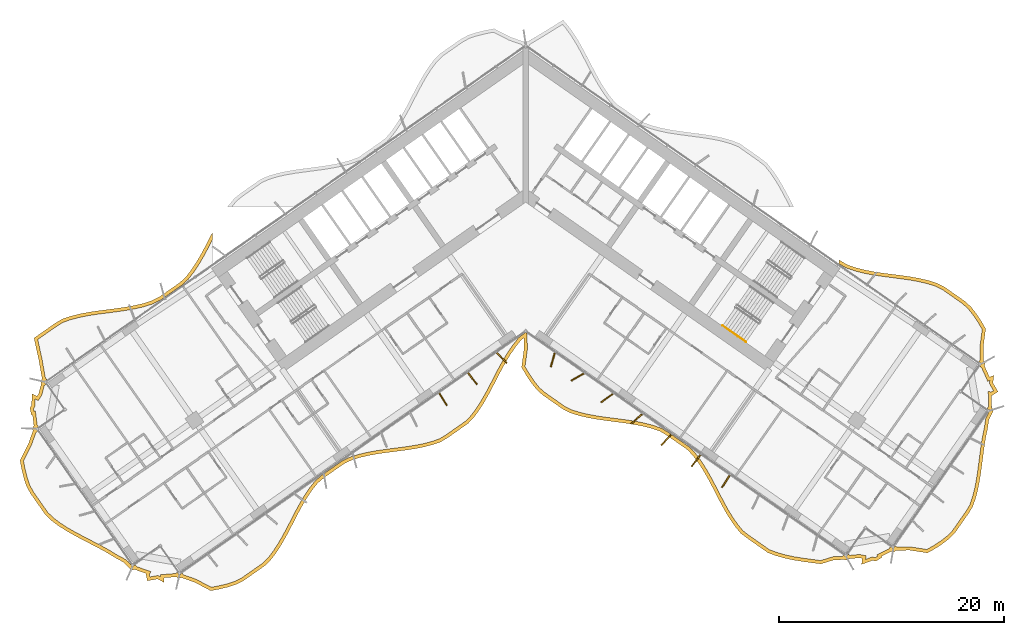
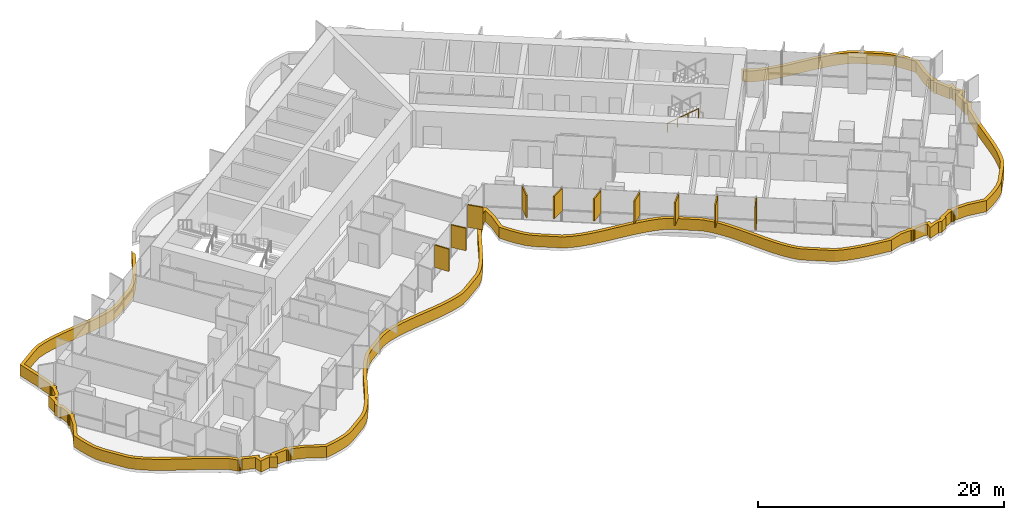
# One storey, part 20 of 23: 11 shading devices, 1 railing.
"""IFC4 building model written with IfcOpenShell, lengths in metres."""

from ifc_helpers import new_model, si_unit, direction, frame, origin, origin_2d, place, context, subcontext, project, spatial, polyline, rectangle, circle, outline, extrude, material, layer, layer_set, type_object, element, save


model = new_model("IFC4")

# Units and contexts
model_context = context("Model", 3, precision=1e-05, world=origin(), true_north=direction((0.0, 1.0)))
body_context = subcontext(model_context, "Body", "Model", "MODEL_VIEW")
ifc_project = project(units=[si_unit("LENGTHUNIT", "METRE"), si_unit("AREAUNIT", "SQUARE_METRE"), si_unit("VOLUMEUNIT", "CUBIC_METRE"), si_unit("PLANEANGLEUNIT", "RADIAN"), si_unit("MASSUNIT", "GRAM", prefix="KILO")], contexts=[model_context])

# Site, building, storey
site_placement = place(None, origin())
site = spatial("IfcSite", under=ifc_project, at=site_placement, CompositionType="ELEMENT")
building_placement = place(site_placement, origin())
building = spatial("IfcBuilding", under=site, at=building_placement, Name="Tel Ilan Convention Tower", CompositionType="ELEMENT")
storey_placement = place(building_placement, frame((0.0, 0.0, 86.89990234375)))
storey = spatial("IfcBuildingStorey", under=building, at=storey_placement, Name="L17", CompositionType="ELEMENT", Elevation=86.89990234375)

# Shading devices
ifc_material_1 = material(Name="Aluminium, bronze anodised", Category="aluminium")
ifc_layer_1 = layer(ifc_material_1, 0.1201171875)
ifc_layer_set_1 = layer_set([ifc_layer_1], Name="FIN BRONZE 1300x120")
shading_device_type_1 = type_object("IfcShadingDeviceType", Name="FIN BRONZE 1300x120", PredefinedType="USERDEFINED", material=ifc_layer_set_1)
for number, where, z_axis, x_axis, name in (
    (1, (-7.36181640625, -18.7685546875, 1.10009765625), (0.0, 0.0, 1.0), (0.533204432798, -0.845986425922, 0.0), "FIN"),
    (2, (-4.740234375, -16.932861328125, 1.10009765625), (0.0, 0.0, 1.0), (0.612600545196, -0.790392669516, 0.0), "FIN"),
    (3, (-2.119140625, -15.09716796875, 1.10009765625), (0.0, 0.0, 1.0), (0.686241637865, -0.727373641577, 0.0), "FIN"),
    (4, (2.40966796875, -15.27734375, 1.10009765625), (0.0, 0.0, 1.0), (-0.268172612768, -0.963370878614, 0.0), "FIN"),
    (5, (4.613037109375, -16.797607421875, 1.10009765625), (0.0, 0.0, 1.0), (-0.866025403784, -0.5, 0.0), "FIN"),
    (6, (7.2451171875, -18.663330078125, 1.10009765625), (0.0, 0.0, 1.0), (-0.813552070258, -0.581492071294, 0.0), "FIN"),
    (7, (9.882568359375, -20.525146484375, 1.10009765625), (0.0, 0.0, 1.0), (-0.753435896329, -0.657521368568, 0.0), "FIN"),
    (8, (12.524658203125, -22.383056640625, 1.10009765625), (0.0, 0.0, 1.0), (-0.686241637865, -0.727373641577, 0.0), "FIN"),
    (9, (15.1708984375, -24.236328125, 1.10009765625), (0.0, 0.0, 1.0), (-0.612600545196, -0.790392669516, 0.0), "FIN"),
    (10, (17.8173828125, -26.089599609375, 1.10009765625), (0.0, 0.0, 1.0), (-0.533204432798, -0.845986425922, 0.0), "FIN"),
):
    element("IfcShadingDevice", number, at=place(storey_placement, frame(where, z_axis=z_axis, x_axis=x_axis)), inside=storey, type_object=shading_device_type_1, Name=name, ObjectType="FIN", PredefinedType="USERDEFINED", context=body_context, shape_type="SweptSolid", body=[
        extrude(rectangle(XDim=1.300048828125, YDim=0.1201171875, at=origin_2d()), origin(), (0.0, 0.0, 1.0), 2.219970703125),
    ])
ifc_material_2 = material(Name="Aluminium, bronze anodised", Category="aluminium")
ifc_layer_2 = layer(ifc_material_2, 0.300048828125)
ifc_layer_set_2 = layer_set([ifc_layer_2], Name="LOUVRE BAND 300x1100")
shading_device_type_2 = type_object("IfcShadingDeviceType", Name="LOUVRE BAND 300x1100", PredefinedType="USERDEFINED", material=ifc_layer_set_2)
shading_device_placement = place(storey_placement, origin())
element("IfcShadingDevice", 11, at=shading_device_placement, inside=storey, type_object=shading_device_type_2, Name="LOUVRE BAND 15.01", ObjectType="LOUVRE", PredefinedType="USERDEFINED", context=body_context, shape_type="SweptSolid", body=[
    extrude(outline(polyline([(-44.2939453125, -22.77490234375), (-45.028564453125, -24.204833984375), (-44.876953125, -25.01416015625), (-44.68408203125, -25.794677734375), (-44.4384765625, -26.538330078125), (-44.07080078125, -27.196533203125), (-42.7802734375, -29.03955078125), (-42.232421875, -29.571533203125), (-41.598876953125, -30.04345703125), (-40.91650390625, -30.481201171875), (-40.196533203125, -30.892822265625), (-39.45263671875, -31.287353515625), (-37.949462890625, -32.066162109375), (-37.219970703125, -32.470947265625), (-36.523681640625, -32.89892578125), (-35.783203125, -33.2958984375), (-35.26318359375, -33.847412109375), (-35.258544921875, -33.843994140625), (-35.2294921875, -33.887451171875), (-35.13232421875, -33.952392578125), (-35.017578125, -33.975341796875), (-34.902587890625, -33.952392578125), (-34.8486328125, -33.91650390625), (-33.810546875, -34.284912109375), (-33.821533203125, -34.302734375), (-33.688720703125, -34.9423828125), (-32.80029296875, -34.774658203125), (-32.20068359375, -35.082763671875), (-32.199462890625, -34.66796875), (-31.080322265625, -34.580810546875), (-31.051513671875, -34.624267578125), (-30.9541015625, -34.689208984375), (-30.83935546875, -34.7119140625), (-30.724365234375, -34.689208984375), (-30.67041015625, -34.653076171875), (-29.47802734375, -35.069091796875), (-28.049560546875, -35.822265625), (-27.250732421875, -35.676025390625), (-26.48095703125, -35.488525390625), (-25.74609375, -35.2509765625), (-25.0888671875, -34.90234375), (-23.27490234375, -33.63232421875), (-22.733642578125, -33.117919921875), (-22.262939453125, -32.50341796875), (-21.826416015625, -31.839599609375), (-21.4169921875, -31.13720703125), (-21.026123046875, -30.408935546875), (-20.2607421875, -28.927978515625), (-19.86669921875, -28.20361328125), (-19.45263671875, -27.5078125), (-19.010009765625, -26.85302734375), (-18.53173828125, -26.249267578125), (-17.96875, -25.76611328125), (-16.154541015625, -24.495849609375), (-15.474853515625, -24.1796875), (-14.732666015625, -23.952880859375), (-13.95654296875, -23.774169921875), (-13.154296875, -23.6328125), (-12.334716796875, -23.516357421875), (-10.681640625, -23.30322265625), (-9.86767578125, -23.178466796875), (-9.074951171875, -23.023681640625), (-8.3115234375, -22.8271484375), (-7.584228515625, -22.57861328125), (-6.9482421875, -22.2001953125), (-5.134033203125, -20.929931640625), (-4.616455078125, -20.38232421875), (-4.15283203125, -19.75732421875), (-3.722412109375, -19.0849609375), (-3.3173828125, -18.37646484375), (-2.9287109375, -17.644287109375), (-2.16259765625, -16.16455078125), (-1.765380859375, -15.44482421875), (-1.346435546875, -14.75634765625), (-0.897216796875, -14.110595703125), (-0.422119140625, -13.502197265625), (-0.16845703125, -13.315185546875), (-0.153564453125, -14.330078125), (-0.367919921875, -15.928955078125), (0.045166015625, -16.631591796875), (0.487060546875, -17.29296875), (0.964599609375, -17.90380859375), (1.52197265625, -18.400634765625), (3.343994140625, -19.676513671875), (4.02001953125, -20.003662109375), (4.763427734375, -20.234375), (5.54150390625, -20.416015625), (6.34619140625, -20.559326171875), (7.1689453125, -20.67724609375), (8.829345703125, -20.89111328125), (9.647216796875, -21.015625), (10.444091796875, -21.17041015625), (11.211669921875, -21.366943359375), (11.9423828125, -21.61572265625), (12.582275390625, -21.99462890625), (14.404541015625, -23.2705078125), (14.92333984375, -23.822021484375), (15.388427734375, -24.450439453125), (15.8203125, -25.12646484375), (16.2265625, -25.8388671875), (16.61669921875, -26.574462890625), (17.38623046875, -28.060546875), (17.785888671875, -28.782470703125), (18.2080078125, -29.47216796875), (18.660888671875, -30.1181640625), (19.1513671875, -30.71044921875), (19.742431640625, -31.158935546875), (21.564697265625, -32.4345703125), (22.281005859375, -32.7041015625), (23.03662109375, -32.917724609375), (23.824462890625, -33.08544921875), (24.635986328125, -33.218994140625), (26.29443359375, -33.435546875), (27.448974609375, -33.079345703125), (28.376953125, -33.047119140625), (28.430908203125, -33.083251953125), (28.545654296875, -33.10595703125), (28.660400390625, -33.083251953125), (28.7578125, -33.01806640625), (28.786865234375, -32.974853515625), (29.716796875, -32.8935546875), (29.97412109375, -32.9453125), (29.9072265625, -33.476806640625), (30.8779296875, -33.126708984375), (31.183837890625, -33.188232421875), (31.7392578125, -32.8447265625), (31.685546875, -32.75439453125), (32.554931640625, -32.310302734375), (32.609130859375, -32.346435546875), (32.723876953125, -32.369384765625), (32.838623046875, -32.346435546875), (32.93603515625, -32.281494140625), (32.96484375, -32.238037109375), (34.16845703125, -32.208740234375), (35.769775390625, -32.4580078125), (36.4619140625, -32.07080078125), (37.104736328125, -31.64892578125), (37.701904296875, -31.195068359375), (38.212890625, -30.680908203125), (39.44189453125, -28.925537109375), (39.810791015625, -28.311767578125), (40.0537109375, -27.60986328125), (40.247314453125, -26.87353515625), (40.40087890625, -26.109130859375), (40.52490234375, -25.323974609375), (40.841064453125, -22.929443359375), (40.969970703125, -22.147705078125), (41.12841796875, -21.386474609375), (41.24267578125, -20.594482421875), (41.568603515625, -19.963134765625), (41.568603515625, -19.950927734375), (41.604736328125, -19.896728515625), (41.62744140625, -19.781982421875), (41.604736328125, -19.667236328125), (41.53955078125, -19.56982421875), (41.496337890625, -19.541015625), (41.487548828125, -18.439453125), (41.508056640625, -18.443603515625), (42.063720703125, -18.10009765625), (41.602294921875, -17.322509765625), (41.686767578125, -16.65380859375), (41.29638671875, -16.79443359375), (40.831787109375, -15.772705078125), (40.867919921875, -15.71875), (40.890869140625, -15.603759765625), (40.867919921875, -15.489013671875), (40.802978515625, -15.3916015625), (40.759521484375, -15.36279296875), (40.743408203125, -14.096435546875), (40.96044921875, -12.496826171875), (40.548828125, -11.795654296875), (40.108154296875, -11.13525390625), (39.63232421875, -10.525390625), (39.078125, -10.02783203125), (37.260498046875, -8.755126953125), (36.5888671875, -8.4248046875), (35.84814453125, -8.193115234375), (35.072998046875, -8.0107421875), (34.27099609375, -7.86669921875), (33.450927734375, -7.748779296875), (31.79443359375, -7.535400390625), (30.97802734375, -7.412109375), (30.181884765625, -7.259521484375), (29.414794921875, -7.0654296875), (28.68408203125, -6.820068359375), (28.040283203125, -6.44970703125), (27.874755859375, -6.333740234375), (27.874755859375, -6.70068359375), (28.560302734375, -7.094970703125), (29.330322265625, -7.353515625), (30.116943359375, -7.552490234375), (30.92724609375, -7.707763671875), (31.752685546875, -7.83251953125), (33.41064453125, -8.0458984375), (34.22314453125, -8.162841796875), (35.01220703125, -8.3046875), (35.76904296875, -8.482666015625), (36.477294921875, -8.7041015625), (37.107421875, -9.01416015625), (38.89111328125, -10.26318359375), (39.412109375, -10.73095703125), (39.86474609375, -11.31103515625), (40.29443359375, -11.954833984375), (40.649169921875, -12.559326171875), (40.443115234375, -14.07861328125), (40.46142578125, -15.265625), (40.344970703125, -15.431640625), (40.5908203125, -15.603759765625), (40.41943359375, -15.85009765625), (40.596923828125, -15.974365234375), (41.13720703125, -17.1708984375), (41.327880859375, -17.10205078125), (41.291748046875, -17.38720703125), (41.6552734375, -17.999755859375), (41.451171875, -18.1259765625), (41.18359375, -18.072265625), (41.198486328125, -19.443115234375), (41.081787109375, -19.60986328125), (41.327392578125, -19.781982421875), (41.156005859375, -20.0283203125), (41.186279296875, -20.04931640625), (40.952880859375, -20.501708984375), (40.832763671875, -21.33447265625), (40.675048828125, -22.0927734375), (40.54443359375, -22.884521484375), (40.22802734375, -25.28076171875), (40.10546875, -26.05615234375), (39.955078125, -26.8056640625), (39.766357421875, -27.5224609375), (39.53759765625, -28.18408203125), (39.190185546875, -28.761962890625), (37.98193359375, -30.48779296875), (37.50390625, -30.96875), (36.931640625, -31.40380859375), (36.30615234375, -31.814208984375), (35.713623046875, -32.145751953125), (34.1875, -31.908203125), (33.060546875, -31.938720703125), (32.89599609375, -31.823486328125), (32.723876953125, -32.0693359375), (32.4775390625, -31.89794921875), (32.34912109375, -32.08154296875), (31.26416015625, -32.6318359375), (31.3310546875, -32.74462890625), (31.126708984375, -32.870849609375), (30.854736328125, -32.816162109375), (30.26611328125, -33.028564453125), (30.306884765625, -32.7060546875), (29.73291015625, -32.5908203125), (28.87353515625, -32.66943359375), (28.7177734375, -32.560302734375), (28.545654296875, -32.805908203125), (28.299560546875, -32.634521484375), (28.214111328125, -32.75634765625), (27.3994140625, -32.78076171875), (26.267822265625, -33.1298828125), (24.6806640625, -32.922119140625), (23.8798828125, -32.79052734375), (23.10888671875, -32.626220703125), (22.374755859375, -32.4189453125), (21.70556640625, -32.167236328125), (19.919189453125, -30.91650390625), (19.3603515625, -30.492431640625), (18.899658203125, -29.936279296875), (18.459228515625, -29.3076171875), (18.04541015625, -28.63134765625), (17.650634765625, -27.91845703125), (16.882568359375, -26.435791015625), (16.489501953125, -25.694091796875), (16.0771484375, -24.97119140625), (15.6357421875, -24.2802734375), (15.154052734375, -23.629150390625), (14.601806640625, -23.04248046875), (12.7451171875, -21.742431640625), (12.068603515625, -21.341796875), (11.29736328125, -21.0791015625), (10.510009765625, -20.87744140625), (9.698486328125, -20.719970703125), (8.871337890625, -20.593994140625), (7.209228515625, -20.3798828125), (6.393798828125, -20.26318359375), (5.60205078125, -20.1220703125), (4.84228515625, -19.94482421875), (4.13037109375, -19.723876953125), (3.496337890625, -19.4169921875), (1.70849609375, -18.1650390625), (1.184326171875, -17.697998046875), (0.73046875, -17.1171875), (0.299560546875, -16.471923828125), (-0.056884765625, -15.8662109375), (0.146728515625, -14.347900390625), (0.125732421875, -12.906005859375), (0.0, -12.818115234375), (-0.63330078125, -13.285400390625), (-1.138916015625, -13.9326171875), (-1.597900390625, -14.592529296875), (-2.025146484375, -15.294189453125), (-2.427001953125, -16.022705078125), (-3.19482421875, -17.50537109375), (-3.580078125, -18.231689453125), (-3.979248046875, -18.929443359375), (-4.39990234375, -19.5869140625), (-4.8466796875, -20.189208984375), (-5.3310546875, -20.70166015625), (-7.111083984375, -21.947998046875), (-7.7109375, -22.304931640625), (-8.3974609375, -22.53955078125), (-9.14111328125, -22.73095703125), (-9.919189453125, -22.8828125), (-10.723876953125, -23.006103515625), (-12.374755859375, -23.218994140625), (-13.201416015625, -23.33642578125), (-14.016357421875, -23.47998046875), (-14.810302734375, -23.662841796875), (-15.58251953125, -23.89892578125), (-16.30517578125, -24.235107421875), (-17.843017578125, -25.31201171875), (-18.15283203125, -25.52880859375), (-18.748779296875, -26.040283203125), (-19.252197265625, -26.675537109375), (-19.7060546875, -27.346923828125), (-20.12744140625, -28.05517578125), (-20.525634765625, -28.787109375), (-21.29150390625, -30.26904296875), (-21.678955078125, -30.99072265625), (-22.08154296875, -31.681640625), (-22.507568359375, -32.32958984375), (-22.95751953125, -32.916748046875), (-23.46533203125, -33.3994140625), (-25.245849609375, -34.64599609375), (-25.86328125, -34.9736328125), (-26.5625, -35.19970703125), (-27.313232421875, -35.38232421875), (-28.00146484375, -35.508544921875), (-29.3583984375, -34.79296875), (-30.477294921875, -34.406005859375), (-30.593017578125, -34.24072265625), (-30.83935546875, -34.412109375), (-31.011474609375, -34.166259765625), (-31.189697265625, -34.291015625), (-32.498779296875, -34.3896484375), (-32.499267578125, -34.59228515625), (-32.7548828125, -34.4609375), (-33.454833984375, -34.593017578125), (-33.503662109375, -34.35791015625), (-33.361572265625, -34.124755859375), (-34.655029296875, -33.669921875), (-34.771240234375, -33.50390625), (-35.017578125, -33.67529296875), (-35.189453125, -33.429443359375), (-35.222900390625, -33.452880859375), (-35.598388671875, -33.054443359375), (-36.374267578125, -32.638671875), (-37.068603515625, -32.211669921875), (-37.807373046875, -31.802001953125), (-39.313720703125, -31.021240234375), (-40.052001953125, -30.6298828125), (-40.760986328125, -30.224609375), (-41.42822265625, -29.796630859375), (-42.03759765625, -29.342529296875), (-42.551025390625, -28.84423828125), (-43.81640625, -27.036865234375), (-44.16259765625, -26.4169921875), (-44.3955078125, -25.71142578125), (-44.583740234375, -24.950439453125), (-44.71484375, -24.25048828125), (-44.017822265625, -22.8935546875), (-43.61572265625, -21.75048828125), (-43.44970703125, -21.63427734375), (-43.62109375, -21.387939453125), (-43.37548828125, -21.216064453125), (-43.50439453125, -21.03173828125), (-43.650390625, -19.823974609375), (-43.779296875, -19.84814453125), (-43.828125, -19.613037109375), (-43.683837890625, -19.376220703125), (-43.681884765625, -18.75048828125), (-43.392822265625, -18.89892578125), (-43.088134765625, -18.399169921875), (-42.8681640625, -17.564697265625), (-42.712890625, -17.4560546875), (-42.88427734375, -17.2099609375), (-42.638671875, -17.037841796875), (-42.772705078125, -16.846435546875), (-43.07080078125, -15.1611328125), (-43.445556640625, -13.4521484375), (-41.779296875, -12.285400390625), (-41.1748046875, -11.917724609375), (-40.481201171875, -11.678466796875), (-39.728515625, -11.483642578125), (-38.940185546875, -11.32958984375), (-38.125, -11.204833984375), (-36.4521484375, -10.9892578125), (-35.61474609375, -10.869140625), (-34.790283203125, -10.7216796875), (-33.988037109375, -10.532958984375), (-33.2060546875, -10.2880859375), (-32.48779296875, -9.93017578125), (-30.61474609375, -8.61865234375), (-30.02783203125, -8.073974609375), (-29.527587890625, -7.424560546875), (-29.074462890625, -6.73681640625), (-28.652587890625, -6.013916015625), (-28.2529296875, -5.268798828125), (-27.874755859375, -4.535400390625), (-27.874755859375, -3.883544921875), (-28.518310546875, -5.129150390625), (-28.91455078125, -5.8671875), (-29.329345703125, -6.57861328125), (-29.772216796875, -7.250244140625), (-30.250244140625, -7.87109375), (-30.8037109375, -8.384765625), (-32.6416015625, -9.671630859375), (-33.318603515625, -10.0087890625), (-34.067138671875, -10.243408203125), (-34.85107421875, -10.427734375), (-35.66259765625, -10.572998046875), (-36.4921875, -10.69189453125), (-38.167236328125, -10.90771484375), (-38.99169921875, -11.033935546875), (-39.794921875, -11.19091796875), (-40.56787109375, -11.390869140625), (-41.30322265625, -11.64453125), (-41.943359375, -12.0341796875), (-43.78125, -13.321044921875), (-43.364990234375, -15.219482421875), (-43.05322265625, -16.96875), (-43.096435546875, -16.997802734375), (-43.16162109375, -17.094970703125), (-43.184326171875, -17.2099609375), (-43.16162109375, -17.32470703125), (-43.12548828125, -17.378662109375), (-43.3671875, -18.2802734375), (-43.50390625, -18.504638671875), (-43.98046875, -18.259765625), (-43.9833984375, -19.291748046875), (-44.14599609375, -19.55810546875), (-44.01318359375, -20.197509765625), (-43.90966796875, -20.177978515625), (-43.7900390625, -21.14697265625), (-43.833251953125, -21.17578125), (-43.898193359375, -21.273193359375), (-43.921142578125, -21.387939453125), (-43.898193359375, -21.5029296875), (-43.8623046875, -21.556884765625), (-44.2939453125, -22.77490234375)])), origin(), (0.0, 0.0, 1.0), 1.10009765625),
])

# Railing
ifc_material_3 = material(Name="Stainless Steel Grade 316", Category="steel")
railing_type = type_object("IfcRailingType", Name="Stainless Steel Stair Handrail 900 mm", PredefinedType="HANDRAIL", material=ifc_material_3)
railing_placement = place(storey_placement, frame((17.542236328125, -12.22216796875, 1.97998046875)))
element("IfcRailing", 12, at=railing_placement, inside=storey, type_object=railing_type, Name="L17 S4 stair handrail 2", PredefinedType="HANDRAIL", context=body_context, shape_type="SweptSolid", body=[
    extrude(circle(Radius=0.02392578125, at=origin_2d()), frame((0.0, 0.0, 0.8759765625), z_axis=(0.689040105437, -0.482450316285, 0.54080072616), x_axis=(0.573559875649, 0.819163639968, 0.0)), (0.0, 0.0, 1.0), 2.995849609375),
    extrude(circle(Radius=0.02099609375, at=origin_2d()), origin(), (0.0, 0.0, 1.0), 0.851806640625),
    extrude(circle(Radius=0.02099609375, at=origin_2d()), frame((0.68798828125, -0.481689453125, 0.5400390625)), (0.0, 0.0, 1.0), 0.851806640625),
    extrude(circle(Radius=0.02099609375, at=origin_2d()), frame((1.376220703125, -0.963623046875, 1.080078125)), (0.0, 0.0, 1.0), 0.851806640625),
    extrude(circle(Radius=0.02099609375, at=origin_2d()), frame((2.064208984375, -1.4453125, 1.6201171875)), (0.0, 0.0, 1.0), 0.851806640625),
])

save(model, "model.ifc")
